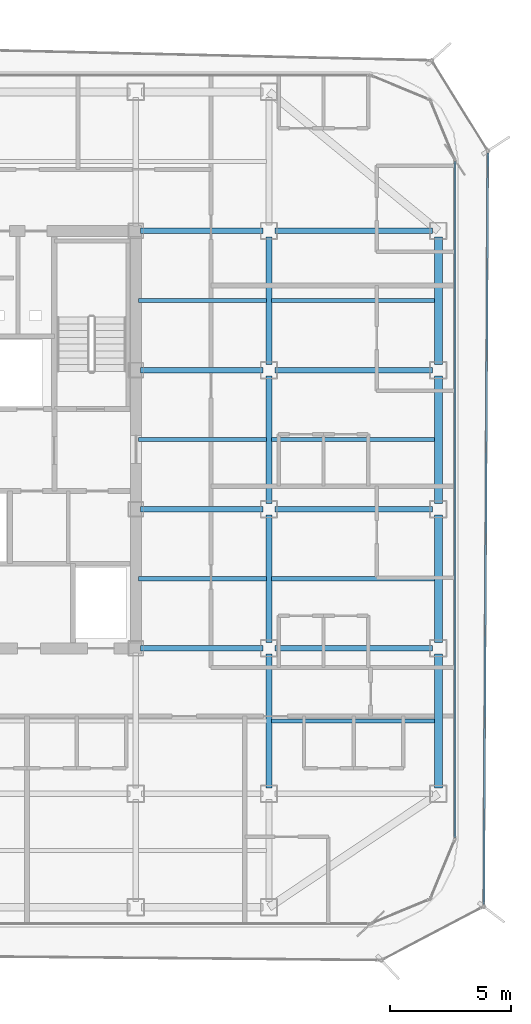
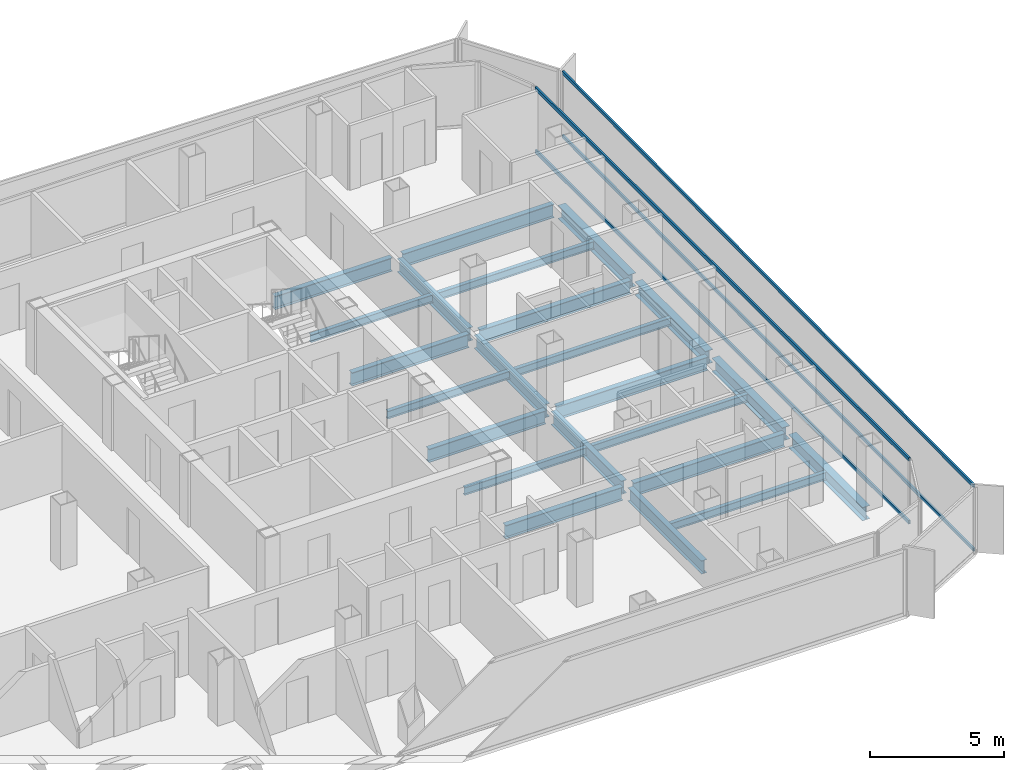
# One storey, part 5 of 16: 23 beams, 4 members, 2 elements without a shape of their own.
"""IFC4 building model written with IfcOpenShell, lengths in metres."""

from ifc_helpers import new_model, si_unit, direction, frame, origin, origin_2d, place, context, subcontext, project, spatial, hollow_rectangle, i_section, extrude, source, transform, mapped, material, layer, layer_set, material_profile, profile_set, type_object, element, aggregate, save


model = new_model("IFC4")

# Units and contexts
model_context = context("Model", 3, precision=1e-05, world=origin(), true_north=direction((0.0, 1.0)))
body_context = subcontext(model_context, "Body", "Model", "MODEL_VIEW")
ifc_project = project(units=[si_unit("LENGTHUNIT", "METRE"), si_unit("AREAUNIT", "SQUARE_METRE"), si_unit("VOLUMEUNIT", "CUBIC_METRE"), si_unit("PLANEANGLEUNIT", "RADIAN"), si_unit("MASSUNIT", "GRAM", prefix="KILO")], contexts=[model_context])

# Site, building, storey
site_placement = place(None, origin())
site = spatial("IfcSite", under=ifc_project, at=site_placement, CompositionType="ELEMENT")
building_placement = place(site_placement, origin())
building = spatial("IfcBuilding", under=site, at=building_placement, Name="Kolveth Station Tower", CompositionType="ELEMENT")
storey_placement = place(building_placement, frame((0.0, 0.0, 178.5)))
storey = spatial("IfcBuildingStorey", under=building, at=storey_placement, Name="L50", CompositionType="ELEMENT", Elevation=178.5)

# Beams
ifc_material_1 = material(Name="Steel S355", Category="steel")
ifc_material_profile_1 = material_profile(ifc_material_1, i_section(OverallWidth=0.323974609375, OverallDepth=0.611083984375, WebThickness=0.0126953125, FlangeThickness=0.01904296875, at=origin_2d()), Name="W610x155")
ifc_profile_set_1 = profile_set([ifc_material_profile_1], Name="Steel S355")
beam_type_1 = type_object("IfcBeamType", Name="Beam_SP2", PredefinedType="SPANDREL", material=ifc_profile_set_1)
shared_shape_1 = source(origin(), body_context, "Body", "SweptSolid", [
    extrude(i_section(OverallWidth=0.323974609375, OverallDepth=0.611083984375, WebThickness=0.0126953125, FlangeThickness=0.01904296875, at=origin_2d()), origin(), (0.0, 0.0, 1.0), 5.52001953125),
])
beam_1_placement = place(storey_placement, frame((41.0, 5.739990234375, -0.555419921875), z_axis=(0.0, 1.0, 0.0), x_axis=(-1.0, 0.0, 0.0)))
element("IfcBeam", 1, at=beam_1_placement, inside=storey, type_object=beam_type_1, Name="L50 Perimeter Spandrel BM-L50-PE-1", PredefinedType="SPANDREL", context=body_context, shape_type="MappedRepresentation", body=[
    mapped(shared_shape_1, transform((0.0, 0.0, 0.0), x_axis=(1.0, 0.0, 0.0), y_axis=(0.0, 1.0, 0.0), z_axis=(0.0, 0.0, 1.0), scale=1.0)),
])
shared_shape_2 = source(origin(), body_context, "Body", "SweptSolid", [
    extrude(i_section(OverallWidth=0.323974609375, OverallDepth=0.611083984375, WebThickness=0.0126953125, FlangeThickness=0.01904296875, at=origin_2d()), origin(), (0.0, 0.0, 1.0), 5.27001953125),
])
for number, where, z_axis, x_axis, name in (
    (2, (41.0, 11.739990234375, -0.555419921875), (0.0, 1.0, 0.0), (-1.0, 0.0, 0.0), "L50 Perimeter Spandrel BM-L50-PE-2"),
    (3, (41.0, 17.489990234375, -0.555419921875), (0.0, 1.0, 0.0), (-1.0, 0.0, 0.0), "L50 Perimeter Spandrel BM-L50-PE-3"),
    (4, (41.0, 23.239990234375, -0.555419921875), (0.0, 1.0, 0.0), (-1.0, 0.0, 0.0), "L50 Perimeter Spandrel BM-L50-PE-4"),
):
    element("IfcBeam", number, at=place(storey_placement, frame(where, z_axis=z_axis, x_axis=x_axis)), inside=storey, type_object=beam_type_1, Name=name, PredefinedType="SPANDREL", context=body_context, shape_type="MappedRepresentation", body=[
        mapped(shared_shape_2, transform((0.0, 0.0, 0.0), x_axis=(1.0, 0.0, 0.0), y_axis=(0.0, 1.0, 0.0), z_axis=(0.0, 0.0, 1.0), scale=1.0)),
    ])
ifc_material_profile_2 = material_profile(ifc_material_1, i_section(OverallWidth=0.22900390625, OverallDepth=0.612060546875, WebThickness=0.011962890625, FlangeThickness=0.01953125, at=origin_2d()), Name="W610x125")
ifc_profile_set_2 = profile_set([ifc_material_profile_2], Name="Steel S355")
beam_type_2 = type_object("IfcBeamType", Name="Beam_B5", PredefinedType="BEAM", material=ifc_profile_set_2)
shared_shape_3 = source(origin(), body_context, "Body", "SweptSolid", [
    extrude(i_section(OverallWidth=0.22900390625, OverallDepth=0.612060546875, WebThickness=0.011962890625, FlangeThickness=0.01953125, at=origin_2d()), origin(), (0.0, 0.0, 1.0), 6.52001953125),
])
for number, where, z_axis, x_axis, name in (
    (5, (34.239990234375, 11.5, -0.555908203125), (1.0, 0.0, 0.0), (0.0, 1.0, 0.0), "L50 Primary Girder BM-L50-GY115-6"),
    (6, (34.239990234375, 17.25, -0.555908203125), (1.0, 0.0, 0.0), (0.0, 1.0, 0.0), "L50 Primary Girder BM-L50-GY172-6"),
    (7, (34.239990234375, 23.0, -0.555908203125), (1.0, 0.0, 0.0), (0.0, 1.0, 0.0), "L50 Primary Girder BM-L50-GY230-6"),
    (8, (34.239990234375, 28.75, -0.555908203125), (1.0, 0.0, 0.0), (0.0, 1.0, 0.0), "L50 Primary Girder BM-L50-GY287-6"),
):
    element("IfcBeam", number, at=place(storey_placement, frame(where, z_axis=z_axis, x_axis=x_axis)), inside=storey, type_object=beam_type_2, Name=name, PredefinedType="BEAM", context=body_context, shape_type="MappedRepresentation", body=[
        mapped(shared_shape_3, transform((0.0, 0.0, 0.0), x_axis=(1.0, 0.0, 0.0), y_axis=(0.0, 1.0, 0.0), z_axis=(0.0, 0.0, 1.0), scale=1.0)),
    ])
shared_shape_4 = source(origin(), body_context, "Body", "SweptSolid", [
    extrude(i_section(OverallWidth=0.22900390625, OverallDepth=0.612060546875, WebThickness=0.011962890625, FlangeThickness=0.01953125, at=origin_2d()), origin(), (0.0, 0.0, 1.0), 5.06005859375),
])
for number, where, z_axis, x_axis, name in (
    (9, (28.699951171875, 11.5, -0.555908203125), (1.0, 0.0, 0.0), (0.0, 1.0, 0.0), "L50 Primary Girder BM-L50-GY115-5"),
    (10, (28.699951171875, 17.25, -0.555908203125), (1.0, 0.0, 0.0), (0.0, 1.0, 0.0), "L50 Primary Girder BM-L50-GY172-5"),
    (11, (28.699951171875, 23.0, -0.555908203125), (1.0, 0.0, 0.0), (0.0, 1.0, 0.0), "L50 Primary Girder BM-L50-GY230-5"),
    (12, (28.699951171875, 28.75, -0.555908203125), (1.0, 0.0, 0.0), (0.0, 1.0, 0.0), "L50 Primary Girder BM-L50-GY287-5"),
):
    element("IfcBeam", number, at=place(storey_placement, frame(where, z_axis=z_axis, x_axis=x_axis)), inside=storey, type_object=beam_type_2, Name=name, PredefinedType="BEAM", context=body_context, shape_type="MappedRepresentation", body=[
        mapped(shared_shape_4, transform((0.0, 0.0, 0.0), x_axis=(1.0, 0.0, 0.0), y_axis=(0.0, 1.0, 0.0), z_axis=(0.0, 0.0, 1.0), scale=1.0)),
    ])
shared_shape_5 = source(origin(), body_context, "Body", "SweptSolid", [
    extrude(i_section(OverallWidth=0.22900390625, OverallDepth=0.612060546875, WebThickness=0.011962890625, FlangeThickness=0.01953125, at=origin_2d()), origin(), (0.0, 0.0, 1.0), 5.52001953125),
])
beam_2_placement = place(storey_placement, frame((34.0, 5.739990234375, -0.555908203125), z_axis=(0.0, 1.0, 0.0), x_axis=(-1.0, 0.0, 0.0)))
element("IfcBeam", 13, at=beam_2_placement, inside=storey, type_object=beam_type_2, Name="L50 Primary Girder BM-L50-GX340-2", PredefinedType="BEAM", context=body_context, shape_type="MappedRepresentation", body=[
    mapped(shared_shape_5, transform((0.0, 0.0, 0.0), x_axis=(1.0, 0.0, 0.0), y_axis=(0.0, 1.0, 0.0), z_axis=(0.0, 0.0, 1.0), scale=1.0)),
])
shared_shape_6 = source(origin(), body_context, "Body", "SweptSolid", [
    extrude(i_section(OverallWidth=0.22900390625, OverallDepth=0.612060546875, WebThickness=0.011962890625, FlangeThickness=0.01953125, at=origin_2d()), origin(), (0.0, 0.0, 1.0), 5.27001953125),
])
for number, where, z_axis, x_axis, name in (
    (14, (34.0, 11.739990234375, -0.555908203125), (0.0, 1.0, 0.0), (-1.0, 0.0, 0.0), "L50 Primary Girder BM-L50-GX340-3"),
    (15, (34.0, 17.489990234375, -0.555908203125), (0.0, 1.0, 0.0), (-1.0, 0.0, 0.0), "L50 Primary Girder BM-L50-GX340-4"),
    (16, (34.0, 23.239990234375, -0.555908203125), (0.0, 1.0, 0.0), (-1.0, 0.0, 0.0), "L50 Primary Girder BM-L50-GX340-5"),
):
    element("IfcBeam", number, at=place(storey_placement, frame(where, z_axis=z_axis, x_axis=x_axis)), inside=storey, type_object=beam_type_2, Name=name, PredefinedType="BEAM", context=body_context, shape_type="MappedRepresentation", body=[
        mapped(shared_shape_6, transform((0.0, 0.0, 0.0), x_axis=(1.0, 0.0, 0.0), y_axis=(0.0, 1.0, 0.0), z_axis=(0.0, 0.0, 1.0), scale=1.0)),
    ])
ifc_material_profile_3 = material_profile(ifc_material_1, i_section(OverallWidth=0.1708984375, OverallDepth=0.35205078125, WebThickness=0.0068359375, FlangeThickness=0.009765625, at=origin_2d()), Name="W360x44")
ifc_profile_set_3 = profile_set([ifc_material_profile_3], Name="Steel S355")
beam_type_3 = type_object("IfcBeamType", Name="Beam_J2", PredefinedType="JOIST", material=ifc_profile_set_3)
shared_shape_7 = source(origin(), body_context, "Body", "SweptSolid", [
    extrude(i_section(OverallWidth=0.1708984375, OverallDepth=0.35205078125, WebThickness=0.0068359375, FlangeThickness=0.009765625, at=origin_2d()), origin(), (0.0, 0.0, 1.0), 5.27490234375),
])
for number, where, z_axis, x_axis, name in (
    (17, (28.612548828125, 14.375, -0.426025390625), (1.0, 0.0, 0.0), (0.0, 1.0, 0.0), "L50 Secondary Joist JST-L50-5-3"),
    (18, (28.612548828125, 20.125, -0.426025390625), (1.0, 0.0, 0.0), (0.0, 1.0, 0.0), "L50 Secondary Joist JST-L50-5-4"),
    (19, (28.612548828125, 25.875, -0.426025390625), (1.0, 0.0, 0.0), (0.0, 1.0, 0.0), "L50 Secondary Joist JST-L50-5-5"),
):
    element("IfcBeam", number, at=place(storey_placement, frame(where, z_axis=z_axis, x_axis=x_axis)), inside=storey, type_object=beam_type_3, Name=name, PredefinedType="JOIST", context=body_context, shape_type="MappedRepresentation", body=[
        mapped(shared_shape_7, transform((0.0, 0.0, 0.0), x_axis=(1.0, 0.0, 0.0), y_axis=(0.0, 1.0, 0.0), z_axis=(0.0, 0.0, 1.0), scale=1.0)),
    ])
shared_shape_8 = source(origin(), body_context, "Body", "SweptSolid", [
    extrude(i_section(OverallWidth=0.1708984375, OverallDepth=0.35205078125, WebThickness=0.0068359375, FlangeThickness=0.009765625, at=origin_2d()), origin(), (0.0, 0.0, 1.0), 6.7275390625),
])
for number, where, z_axis, x_axis, name in (
    (20, (34.112548828125, 8.5, -0.426025390625), (1.0, 0.0, 0.0), (0.0, 1.0, 0.0), "L50 Secondary Joist JST-L50-6-2"),
    (21, (34.112548828125, 14.375, -0.426025390625), (1.0, 0.0, 0.0), (0.0, 1.0, 0.0), "L50 Secondary Joist JST-L50-6-3"),
    (22, (34.112548828125, 20.125, -0.426025390625), (1.0, 0.0, 0.0), (0.0, 1.0, 0.0), "L50 Secondary Joist JST-L50-6-4"),
    (23, (34.112548828125, 25.875, -0.426025390625), (1.0, 0.0, 0.0), (0.0, 1.0, 0.0), "L50 Secondary Joist JST-L50-6-5"),
):
    element("IfcBeam", number, at=place(storey_placement, frame(where, z_axis=z_axis, x_axis=x_axis)), inside=storey, type_object=beam_type_3, Name=name, PredefinedType="JOIST", context=body_context, shape_type="MappedRepresentation", body=[
        mapped(shared_shape_8, transform((0.0, 0.0, 0.0), x_axis=(1.0, 0.0, 0.0), y_axis=(0.0, 1.0, 0.0), z_axis=(0.0, 0.0, 1.0), scale=1.0)),
    ])

# Curtain wall, members
ifc_material_2 = material(Name="Aluminium 6063-T6 and low-E dark glass", Category="aluminium")
ifc_layer_1 = layer(ifc_material_2, 0.18994140625)
ifc_layer_set_1 = layer_set([ifc_layer_1], Name="Aluminium 6063-T6 and low-E dark glass")
curtain_wall_type_1 = type_object("IfcCurtainWallType", Name="CurtainWall_CW-Z2", PredefinedType="NOTDEFINED", material=ifc_layer_set_1)
curtain_wall_1_placement = place(storey_placement, origin())
curtain_wall_1 = element("IfcCurtainWall", 24, at=curtain_wall_1_placement, inside=storey, type_object=curtain_wall_type_1, Name="L50 Inner Thermal Curtain Wall 3", PredefinedType="NOTDEFINED")
ifc_material_3 = material(Name="Black anodized aluminium 6063-T6", Category="aluminium")
ifc_material_profile_4 = material_profile(ifc_material_3, hollow_rectangle(XDim=0.080078125, YDim=0.169921875, WallThickness=0.0048828125, at=origin_2d()), Name="ALU-80x170x5")
ifc_profile_set_4 = profile_set([ifc_material_profile_4], Name="Black anodized aluminium 6063-T6")
member_type_1 = type_object("IfcMemberType", Name="Transom_TR2", PredefinedType="USERDEFINED", material=ifc_profile_set_4)
shared_shape_9 = source(origin(), body_context, "Body", "SweptSolid", [
    extrude(hollow_rectangle(XDim=0.080078125, YDim=0.169921875, WallThickness=0.0048828125, at=origin_2d()), origin(), (0.0, 0.0, 1.0), 27.940185546875),
])
member_1_placement = place(storey_placement, frame((41.679931640625, 3.679931640625, 0.0400390625), z_axis=(0.0, 1.0, 0.0), x_axis=(-1.0, 0.0, 0.0)))
member_1 = element("IfcMember", 25, at=member_1_placement, type_object=member_type_1, Name="CW-Z2 transom 1.1", ObjectType="TRANSOM", PredefinedType="USERDEFINED", context=body_context, shape_type="MappedRepresentation", body=[
    mapped(shared_shape_9, transform((0.0, 0.0, 0.0), x_axis=(1.0, 0.0, 0.0), y_axis=(0.0, 1.0, 0.0), z_axis=(0.0, 0.0, 1.0), scale=1.0)),
])
member_2_placement = place(storey_placement, frame((41.679931640625, 3.679931640625, 2.909912109375), z_axis=(0.0, 1.0, 0.0), x_axis=(-1.0, 0.0, 0.0)))
member_2 = element("IfcMember", 26, at=member_2_placement, type_object=member_type_1, Name="CW-Z2 transom 1.2", ObjectType="TRANSOM", PredefinedType="USERDEFINED", context=body_context, shape_type="MappedRepresentation", body=[
    mapped(shared_shape_9, transform((0.0, 0.0, 0.0), x_axis=(1.0, 0.0, 0.0), y_axis=(0.0, 1.0, 0.0), z_axis=(0.0, 0.0, 1.0), scale=1.0)),
])
aggregate(curtain_wall_1, [member_1, member_2])

ifc_material_4 = material(Name="Black anodized aluminium 6063-T6 and dark solar glass", Category="aluminium")
ifc_layer_2 = layer(ifc_material_4, 0.159912109375)
ifc_layer_set_2 = layer_set([ifc_layer_2], Name="Black anodized aluminium 6063-T6 and dark solar glass")
curtain_wall_type_2 = type_object("IfcCurtainWallType", Name="OUTER SKIN CW-OS", PredefinedType="NOTDEFINED", material=ifc_layer_set_2)
curtain_wall_2_placement = place(storey_placement, origin())
curtain_wall_2 = element("IfcCurtainWall", 27, at=curtain_wall_2_placement, inside=storey, type_object=curtain_wall_type_2, Name="L50 Outer Ventilated Skin Curtain Wall 2", PredefinedType="NOTDEFINED")
ifc_material_profile_5 = material_profile(ifc_material_3, hollow_rectangle(XDim=0.080078125, YDim=0.14990234375, WallThickness=0.0048828125, at=origin_2d()), Name="ALU-80x150x5")
ifc_profile_set_5 = profile_set([ifc_material_profile_5], Name="Black anodized aluminium 6063-T6")
member_type_2 = type_object("IfcMemberType", Name="Transom_TR-OS", PredefinedType="USERDEFINED", material=ifc_profile_set_5)
shared_shape_10 = source(origin(), body_context, "Body", "SweptSolid", [
    extrude(hollow_rectangle(XDim=0.080078125, YDim=0.14990234375, WallThickness=0.0048828125, at=origin_2d()), origin(), (0.0, 0.0, 1.0), 31.046630859375),
])
member_3_placement = place(storey_placement, frame((42.875732421875, 0.923583984375, 0.0400390625), z_axis=(0.005449531788, 0.999985151191, 0.0), x_axis=(-0.999985151191, 0.005449531788, 0.0)))
member_3 = element("IfcMember", 28, at=member_3_placement, type_object=member_type_2, Name="CW-OS transom 1.1", ObjectType="TRANSOM", PredefinedType="USERDEFINED", context=body_context, shape_type="MappedRepresentation", body=[
    mapped(shared_shape_10, transform((0.0, 0.0, 0.0), x_axis=(1.0, 0.0, 0.0), y_axis=(0.0, 1.0, 0.0), z_axis=(0.0, 0.0, 1.0), scale=1.0)),
])
member_4_placement = place(storey_placement, frame((42.875732421875, 0.923583984375, 2.949951171875), z_axis=(0.005449531788, 0.999985151191, 0.0), x_axis=(-0.999985151191, 0.005449531788, 0.0)))
member_4 = element("IfcMember", 29, at=member_4_placement, type_object=member_type_2, Name="CW-OS transom 1.2", ObjectType="TRANSOM", PredefinedType="USERDEFINED", context=body_context, shape_type="MappedRepresentation", body=[
    mapped(shared_shape_10, transform((0.0, 0.0, 0.0), x_axis=(1.0, 0.0, 0.0), y_axis=(0.0, 1.0, 0.0), z_axis=(0.0, 0.0, 1.0), scale=1.0)),
])
aggregate(curtain_wall_2, [member_3, member_4])

save(model, "model.ifc")
